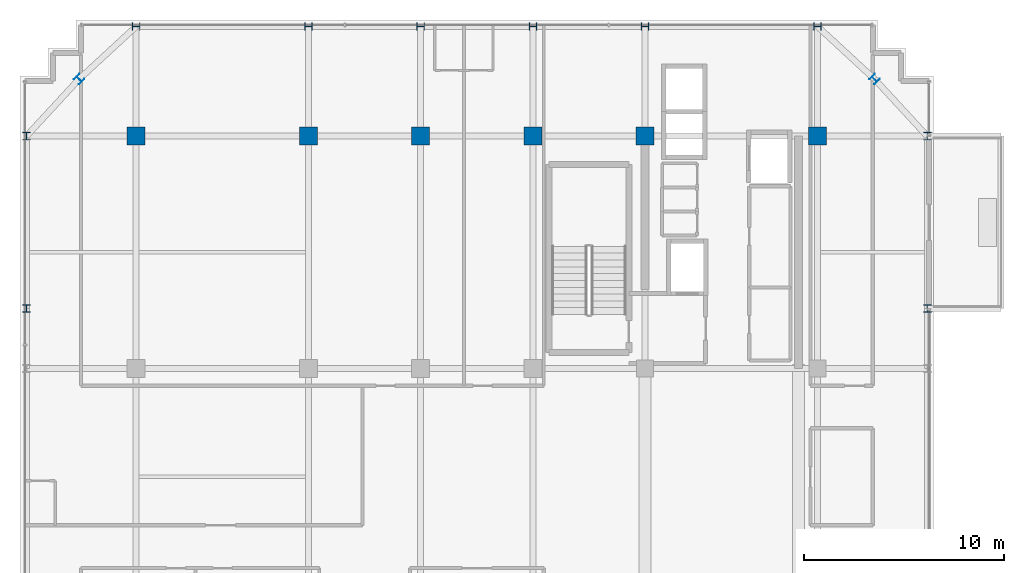
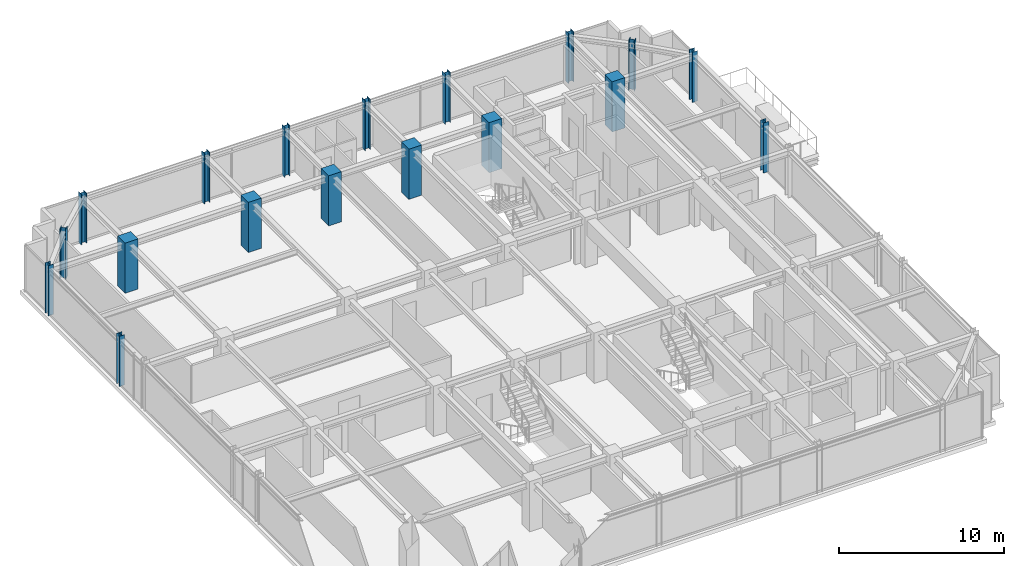
# One storey, part 3 of 33: 18 columns.
"""IFC4 building model written with IfcOpenShell, lengths in metres."""

from ifc_helpers import new_model, si_unit, direction, frame, origin, origin_2d, place, context, subcontext, project, spatial, rectangle, i_section, extrude, source, transform, mapped, material, material_profile, profile_set, type_object, element, save


model = new_model("IFC4")

# Units and contexts
model_context = context("Model", 3, precision=1e-05, world=origin(), true_north=direction((0.0, 1.0)))
body_context = subcontext(model_context, "Body", "Model", "MODEL_VIEW")
ifc_project = project(units=[si_unit("LENGTHUNIT", "METRE"), si_unit("AREAUNIT", "SQUARE_METRE"), si_unit("VOLUMEUNIT", "CUBIC_METRE"), si_unit("PLANEANGLEUNIT", "RADIAN"), si_unit("MASSUNIT", "GRAM", prefix="KILO")], contexts=[model_context])

# Site, building, storey
site_placement = place(None, origin())
site = spatial("IfcSite", under=ifc_project, at=site_placement, CompositionType="ELEMENT")
building_placement = place(site_placement, origin())
building = spatial("IfcBuilding", under=site, at=building_placement, Name="Nahalor Promenade Grand Hotel", CompositionType="ELEMENT")
storey_placement = place(building_placement, frame((0.0, 0.0, 270.050048828125)))
storey = spatial("IfcBuildingStorey", under=building, at=storey_placement, Name="L69", CompositionType="ELEMENT", Elevation=270.050048828125)

# Columns
ifc_material_1 = material(Name="Concrete B-50 (C40/50)", Category="concrete")
ifc_material_profile_1 = material_profile(ifc_material_1, rectangle(XDim=0.9, YDim=0.9, at=origin_2d()), Name="RC 900x900")
ifc_profile_set_1 = profile_set([ifc_material_profile_1], Name="Concrete B-50 (C40/50)")
column_type_1 = type_object("IfcColumnType", Name="Col-RC-900", PredefinedType="COLUMN", material=ifc_profile_set_1)
shared_shape_1 = source(origin(), body_context, "Body", "SweptSolid", [
    extrude(rectangle(XDim=0.9, YDim=0.9, at=origin_2d()), origin(), (0.0, 0.0, 1.0), 3.704833984375),
])
for number, where, z_axis, x_axis, name in (
    (1, (-17.0, 17.0, 0.0), (0.0, 0.0, 1.0), (1.0, 0.0, 0.0), "COL-L69-I03"),
    (2, (-8.39990234375, 17.0, 0.0), (0.0, 0.0, 1.0), (1.0, 0.0, 0.0), "COL-L69-I13"),
    (3, (-2.800048828125, 17.0, 0.0), (0.0, 0.0, 1.0), (1.0, 0.0, 0.0), "COL-L69-I23"),
    (4, (2.800048828125, 17.0, 0.0), (0.0, 0.0, 1.0), (1.0, 0.0, 0.0), "COL-L69-I33"),
    (5, (8.39990234375, 17.0, 0.0), (0.0, 0.0, 1.0), (1.0, 0.0, 0.0), "COL-L69-I43"),
    (6, (17.0, 17.0, 0.0), (0.0, 0.0, 1.0), (1.0, 0.0, 0.0), "COL-L69-I53"),
):
    element("IfcColumn", number, at=place(storey_placement, frame(where, z_axis=z_axis, x_axis=x_axis)), inside=storey, type_object=column_type_1, Name=name, PredefinedType="COLUMN", context=body_context, shape_type="MappedRepresentation", body=[
        mapped(shared_shape_1, transform((0.0, 0.0, 0.0), scale=1.0)),
    ])
ifc_material_2 = material(Name="Steel S355JR", Category="steel")
ifc_material_profile_2 = material_profile(ifc_material_2, i_section(OverallWidth=0.374, OverallDepth=0.374, WebThickness=0.0144, FlangeThickness=0.0229, at=origin_2d()), Name="HD 360x262")
ifc_profile_set_2 = profile_set([ifc_material_profile_2], Name="Steel S355JR")
column_type_2 = type_object("IfcColumnType", Name="Col-Steel-HD262", PredefinedType="COLUMN", material=ifc_profile_set_2)
shared_shape_2 = source(origin(), body_context, "Body", "SweptSolid", [
    extrude(i_section(OverallWidth=0.374, OverallDepth=0.374, WebThickness=0.0144, FlangeThickness=0.0229, at=origin_2d()), origin(), (0.0, 0.0, 1.0), 3.704833984375),
])
for number, where, z_axis, x_axis, name in (
    (7, (-22.47998046875, 8.39990234375, 0.0), (0.0, 0.0, 1.0), (1.0, 0.0, 0.0), "COL-L69-PW-W4"),
    (8, (22.47998046875, 8.39990234375, 0.0), (0.0, 0.0, 1.0), (1.0, 0.0, 0.0), "COL-L69-PW-E4"),
    (9, (-22.47998046875, 17.0, 0.0), (0.0, 0.0, 1.0), (1.0, 0.0, 0.0), "COL-L69-PW-W5"),
    (10, (22.47998046875, 17.0, 0.0), (0.0, 0.0, 1.0), (1.0, 0.0, 0.0), "COL-L69-PW-E5"),
    (11, (-17.0, 22.47998046875, 0.0), (0.0, 0.0, 1.0), (0.0, 1.0, 0.0), "COL-L69-PN-N0"),
    (12, (-8.39990234375, 22.47998046875, 0.0), (0.0, 0.0, 1.0), (0.0, 1.0, 0.0), "COL-L69-PN-N1"),
    (13, (-2.800048828125, 22.47998046875, 0.0), (0.0, 0.0, 1.0), (0.0, 1.0, 0.0), "COL-L69-PN-N2"),
    (14, (2.800048828125, 22.47998046875, 0.0), (0.0, 0.0, 1.0), (0.0, 1.0, 0.0), "COL-L69-PN-N3"),
    (15, (8.39990234375, 22.47998046875, 0.0), (0.0, 0.0, 1.0), (0.0, 1.0, 0.0), "COL-L69-PN-N4"),
    (16, (17.0, 22.47998046875, 0.0), (0.0, 0.0, 1.0), (0.0, 1.0, 0.0), "COL-L69-PN-N5"),
    (17, (-19.85009765625, 19.85009765625, 0.0), (0.0, 0.0, 1.0), (0.707106781187, 0.707106781187, 0.0), "COL-L69-CRN-NW"),
    (18, (19.85009765625, 19.85009765625, 0.0), (0.0, 0.0, 1.0), (0.707106781187, 0.707106781187, 0.0), "COL-L69-CRN-NE"),
):
    element("IfcColumn", number, at=place(storey_placement, frame(where, z_axis=z_axis, x_axis=x_axis)), inside=storey, type_object=column_type_2, Name=name, PredefinedType="COLUMN", context=body_context, shape_type="MappedRepresentation", body=[
        mapped(shared_shape_2, transform((0.0, 0.0, 0.0), scale=1.0)),
    ])

save(model, "model.ifc")
